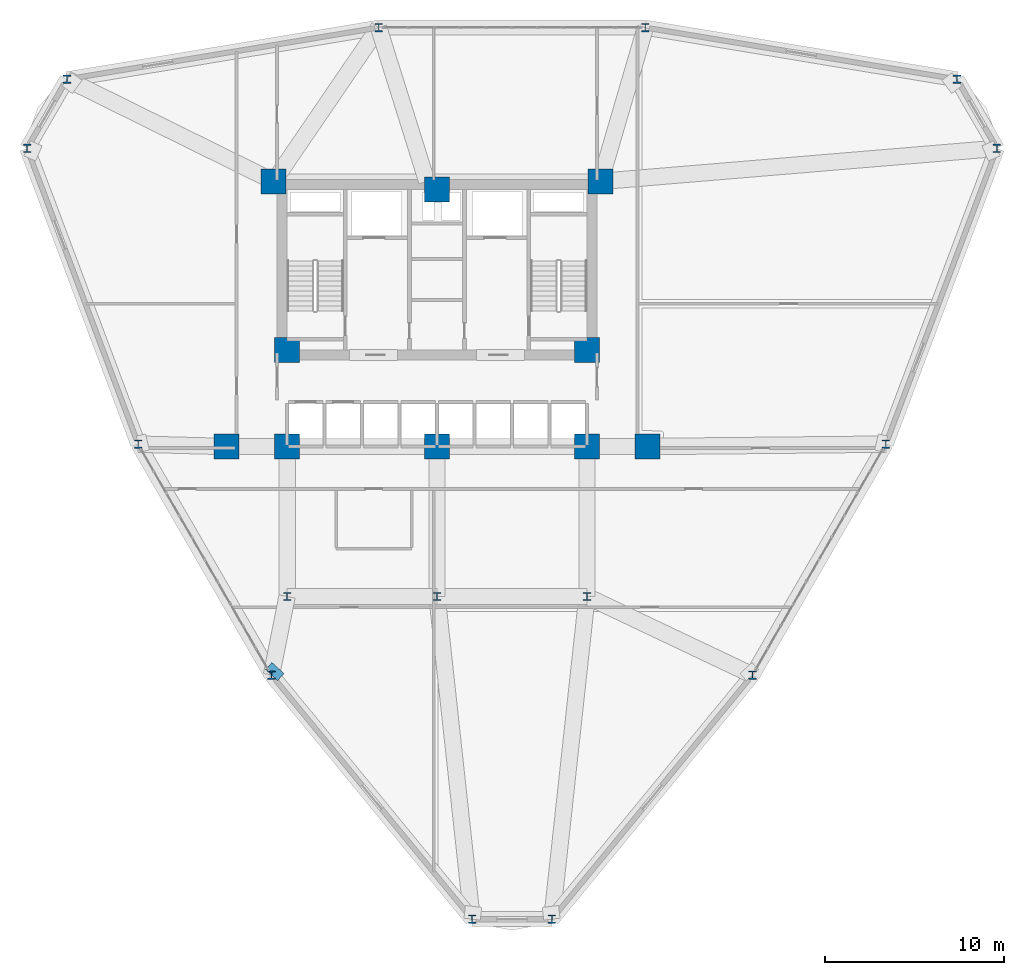
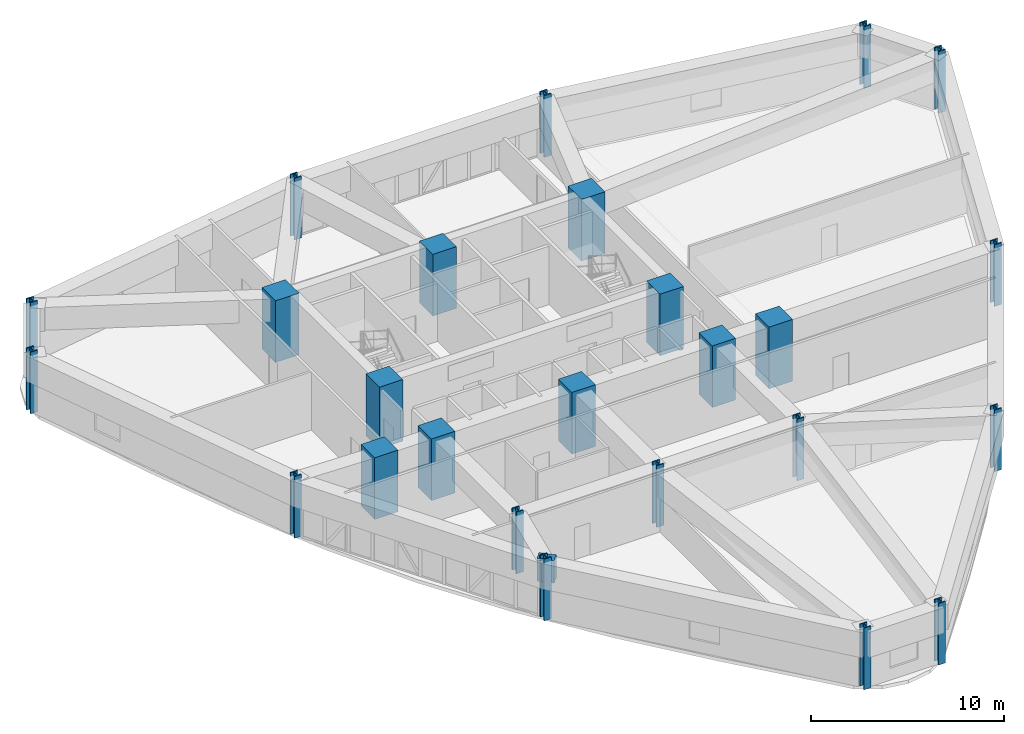
# One storey, part 1 of 17: 25 columns, 1 beam.
"""IFC4 building model written with IfcOpenShell, lengths in metres."""

from ifc_helpers import new_model, si_unit, derived_unit, direction, frame, origin, origin_2d, place, context, subcontext, project, spatial, rectangle, i_section, extrude, source, transform, mapped, material, material_profile, profile_set, type_object, element, save


model = new_model("IFC4")

# Units and contexts
model_context = context("Model", 3, precision=1e-05, world=origin(), true_north=direction((0.0, 1.0)))
body_context = subcontext(model_context, "Body", "Model", "MODEL_VIEW")
ifc_project = project(units=[si_unit("LENGTHUNIT", "METRE"), si_unit("AREAUNIT", "SQUARE_METRE"), si_unit("VOLUMEUNIT", "CUBIC_METRE"), si_unit("PLANEANGLEUNIT", "RADIAN"), si_unit("MASSUNIT", "GRAM", prefix="KILO"), derived_unit("THERMALTRANSMITTANCEUNIT", [(si_unit("POWERUNIT", "WATT"), 1), (si_unit("LENGTHUNIT", "METRE"), -2), (si_unit("THERMODYNAMICTEMPERATUREUNIT", "KELVIN"), -1)])], contexts=[model_context])

# Site, building, storey
site_placement = place(None, origin())
site = spatial("IfcSite", under=ifc_project, at=site_placement, CompositionType="ELEMENT")
building_placement = place(site_placement, origin())
building = spatial("IfcBuilding", under=site, at=building_placement, Name="Korsvarv Bourse and Concert Hall", CompositionType="ELEMENT")
storey_placement = place(building_placement, frame((0.0, 0.0, 83.39990234375)))
storey = spatial("IfcBuildingStorey", under=building, at=storey_placement, Name="L20", CompositionType="ELEMENT", Elevation=83.39990234375)

# Columns
ifc_material_1 = material(Name="Concrete C60/75", Category="concrete")
ifc_material_profile_1 = material_profile(ifc_material_1, rectangle(XDim=1.39990234375, YDim=1.39990234375, at=origin_2d()), Name="RC 1400x1400")
ifc_profile_set_1 = profile_set([ifc_material_profile_1], Name="Concrete C60/75")
column_type_1 = type_object("IfcColumnType", Name="COL-RC1400", PredefinedType="COLUMN", material=ifc_profile_set_1)
shared_shape_1 = source(origin(), body_context, "Body", "SweptSolid", [
    extrude(rectangle(XDim=1.39990234375, YDim=1.39990234375, at=origin_2d()), origin(), (0.0, 0.0, 1.0), 3.900146484375),
])
for number, where, z_axis, x_axis, name in (
    (1, (26.85009765625, 47.25, 0.0), (0.0, 0.0, 1.0), (1.0, 0.0, 0.0), "L20 column C-01"),
    (2, (45.14990234375, 47.25, 0.0), (0.0, 0.0, 1.0), (1.0, 0.0, 0.0), "L20 column C-01"),
    (3, (27.60009765625, 37.800048828125, 0.0), (0.0, 0.0, 1.0), (1.0, 0.0, 0.0), "L20 column C-01"),
    (4, (44.39990234375, 37.800048828125, 0.0), (0.0, 0.0, 1.0), (1.0, 0.0, 0.0), "L20 column C-01"),
    (5, (27.60009765625, 32.39990234375, 0.0), (0.0, 0.0, 1.0), (1.0, 0.0, 0.0), "L20 column C-01"),
    (6, (44.39990234375, 32.39990234375, 0.0), (0.0, 0.0, 1.0), (1.0, 0.0, 0.0), "L20 column C-01"),
    (7, (36.0, 46.800048828125, 0.0), (0.0, 0.0, 1.0), (1.0, 0.0, 0.0), "L20 column C-01"),
    (8, (36.0, 32.39990234375, 0.0), (0.0, 0.0, 1.0), (1.0, 0.0, 0.0), "L20 column C-01"),
    (9, (24.199951171875, 32.39990234375, 0.0), (0.0, 0.0, 1.0), (1.0, 0.0, 0.0), "L20 column C-01"),
    (10, (47.800048828125, 32.39990234375, 0.0), (0.0, 0.0, 1.0), (1.0, 0.0, 0.0), "L20 column C-01"),
):
    element("IfcColumn", number, at=place(storey_placement, frame(where, z_axis=z_axis, x_axis=x_axis)), inside=storey, type_object=column_type_1, Name=name, PredefinedType="COLUMN", context=body_context, shape_type="MappedRepresentation", body=[
        mapped(shared_shape_1, transform((0.0, 0.0, 0.0), scale=1.0)),
    ])
ifc_material_2 = material(Name="Steel S460", Category="steel")
ifc_material_profile_2 = material_profile(ifc_material_2, i_section(OverallWidth=0.424072265625, OverallDepth=0.47412109375, WebThickness=0.044921875, FlangeThickness=0.072021484375, FilletRadius=0.014892578125, at=origin_2d()), Name="HD 400x634")
ifc_profile_set_2 = profile_set([ifc_material_profile_2], Name="Steel S460")
column_type_2 = type_object("IfcColumnType", Name="COL-HD634", PredefinedType="COLUMN", material=ifc_profile_set_2)
shared_shape_2 = source(origin(), body_context, "Body", "SweptSolid", [
    extrude(i_section(OverallWidth=0.424072265625, OverallDepth=0.47412109375, WebThickness=0.044921875, FlangeThickness=0.072021484375, FilletRadius=0.014892578125, at=origin_2d()), origin(), (0.0, 0.0, 1.0), 3.900146484375),
])
for number, where, z_axis, x_axis, name in (
    (11, (27.60009765625, 24.0, 0.0), (0.0, 0.0, 1.0), (1.0, 0.0, 0.0), "L20 column C-07"),
    (12, (44.39990234375, 24.0, 0.0), (0.0, 0.0, 1.0), (1.0, 0.0, 0.0), "L20 column C-07"),
    (13, (36.0, 24.0, 0.0), (0.0, 0.0, 1.0), (1.0, 0.0, 0.0), "L20 column C-07"),
    (14, (67.3623046875, 49.102294921875, 0.0), (0.0, 0.0, 1.0), (1.0, 0.0, 0.0), "L20 column C-07"),
    (15, (65.1279296875, 52.971923828125, 0.0), (0.0, 0.0, 1.0), (1.0, 0.0, 0.0), "L20 column C-07"),
    (16, (47.668701171875, 55.86767578125, 0.0), (0.0, 0.0, 1.0), (1.0, 0.0, 0.0), "L20 column C-07"),
    (17, (32.731201171875, 55.86767578125, 0.0), (0.0, 0.0, 1.0), (1.0, 0.0, 0.0), "L20 column C-07"),
    (18, (15.27197265625, 52.971923828125, 0.0), (0.0, 0.0, 1.0), (1.0, 0.0, 0.0), "L20 column C-07"),
    (19, (13.037841796875, 49.102294921875, 0.0), (0.0, 0.0, 1.0), (1.0, 0.0, 0.0), "L20 column C-07"),
    (20, (19.259765625, 32.5341796875, 0.0), (0.0, 0.0, 1.0), (1.0, 0.0, 0.0), "L20 column C-07"),
    (21, (26.728515625, 19.59814453125, 0.0), (0.0, 0.0, 1.0), (1.0, 0.0, 0.0), "L20 column C-07"),
    (22, (37.9658203125, 5.92578125, 0.0), (0.0, 0.0, 1.0), (1.0, 0.0, 0.0), "L20 column C-07"),
    (23, (42.43408203125, 5.92578125, 0.0), (0.0, 0.0, 1.0), (1.0, 0.0, 0.0), "L20 column C-07"),
    (24, (53.671630859375, 19.59814453125, 0.0), (0.0, 0.0, 1.0), (1.0, 0.0, 0.0), "L20 column C-07"),
    (25, (61.140380859375, 32.5341796875, 0.0), (0.0, 0.0, 1.0), (1.0, 0.0, 0.0), "L20 column C-07"),
):
    element("IfcColumn", number, at=place(storey_placement, frame(where, z_axis=z_axis, x_axis=x_axis)), inside=storey, type_object=column_type_2, Name=name, PredefinedType="COLUMN", context=body_context, shape_type="MappedRepresentation", body=[
        mapped(shared_shape_2, transform((0.0, 0.0, 0.0), scale=1.0)),
    ])

# Beam
ifc_material_3 = material(Name="Concrete C50/60", Category="concrete")
ifc_material_profile_3 = material_profile(ifc_material_3, rectangle(XDim=0.919921875, YDim=1.43994140625, at=origin_2d()), Name="RC-BM 920x1440")
ifc_profile_set_3 = profile_set([ifc_material_profile_3], Name="Concrete C50/60")
beam_type = type_object("IfcBeamType", Name="BM-TR-144", PredefinedType="BEAM", material=ifc_profile_set_3)
shared_shape_3 = source(origin(), body_context, "Body", "SweptSolid", [
    extrude(rectangle(XDim=0.919921875, YDim=1.43994140625, at=origin_2d()), origin(), (0.0, 0.0, 1.0), 0.5341796875),
])
beam_placement = place(storey_placement, frame((26.728515625, 19.59814453125, 2.960205078125), z_axis=(0.677007013658, 0.735976564476, 0.0), x_axis=(-0.735976564476, 0.677007013658, 0.0)))
element("IfcBeam", 26, at=beam_placement, inside=storey, type_object=beam_type, Name="L20 beam B-TR4", PredefinedType="BEAM", context=body_context, shape_type="MappedRepresentation", body=[
    mapped(shared_shape_3, transform((0.0, 0.0, 0.0), scale=1.0)),
])

save(model, "model.ifc")
